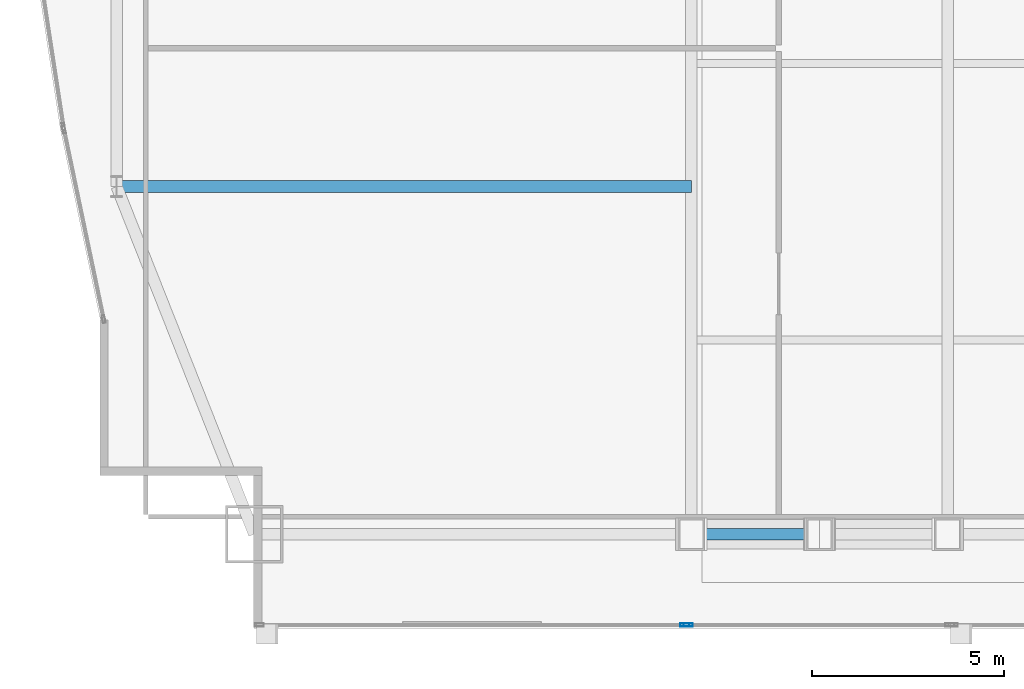
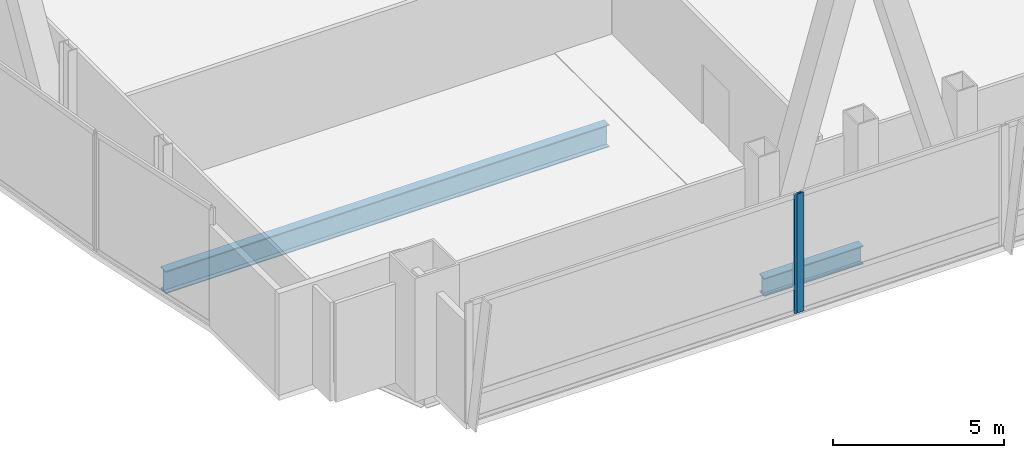
# One storey, part 7 of 32: 2 beams, 2 members, 2 elements without a shape of their own.
"""IFC4 building model written with IfcOpenShell, lengths in metres."""

from ifc_helpers import new_model, si_unit, direction, frame, origin, origin_2d, place, context, subcontext, project, spatial, hollow_rectangle, i_section, extrude, material, material_profile, profile_set, type_object, element, aggregate, save


model = new_model("IFC4")

# Units and contexts
model_context = context("Model", 3, precision=1e-05, world=origin(), true_north=direction((0.0, 1.0)))
body_context = subcontext(model_context, "Body", "Model", "MODEL_VIEW")
ifc_project = project(units=[si_unit("LENGTHUNIT", "METRE"), si_unit("AREAUNIT", "SQUARE_METRE"), si_unit("VOLUMEUNIT", "CUBIC_METRE"), si_unit("PLANEANGLEUNIT", "RADIAN"), si_unit("MASSUNIT", "GRAM", prefix="KILO")], contexts=[model_context])

# Site, building, storey
site_placement = place(None, origin())
site = spatial("IfcSite", under=ifc_project, at=site_placement, CompositionType="ELEMENT")
building_placement = place(site_placement, origin())
building = spatial("IfcBuilding", under=site, at=building_placement, Name="Khoronbel Lancet Exchange", CompositionType="ELEMENT")
storey_placement = place(building_placement, frame((0.0, 0.0, 106.60009765625)))
storey = spatial("IfcBuildingStorey", under=building, at=storey_placement, Name="L25", CompositionType="ELEMENT", Elevation=106.60009765625)

# Beams
ifc_material_1 = material(Name="Steel S355", Category="steel")
ifc_material_profile_1 = material_profile(ifc_material_1, i_section(OverallWidth=0.300048828125, OverallDepth=0.800048828125, WebThickness=0.017578125, FlangeThickness=0.032958984375, at=origin_2d()), Name="HEB 800")
ifc_profile_set_1 = profile_set([ifc_material_profile_1], Name="Steel S355")
beam_type_1 = type_object("IfcBeamType", Name="BM-BG2", PredefinedType="BEAM", material=ifc_profile_set_1)
beam_1_placement = place(storey_placement, frame((3.27001953125, 19.199951171875, -0.60009765625), z_axis=(1.0, 0.0, 0.0), x_axis=(0.0, 1.0, 0.0)))
element("IfcBeam", 1, at=beam_1_placement, inside=storey, type_object=beam_type_1, Name="Level L25 west lens tie girder LG1W", PredefinedType="BEAM", context=body_context, shape_type="SweptSolid", body=[
    extrude(i_section(OverallWidth=0.300048828125, OverallDepth=0.800048828125, WebThickness=0.017578125, FlangeThickness=0.032958984375, at=origin_2d()), origin(), (0.0, 0.0, 1.0), 14.955078125),
])
ifc_material_profile_2 = material_profile(ifc_material_1, i_section(OverallWidth=0.300048828125, OverallDepth=0.64990234375, WebThickness=0.01611328125, FlangeThickness=0.031005859375, at=origin_2d()), Name="HEB 650")
ifc_profile_set_2 = profile_set([ifc_material_profile_2], Name="Steel S355")
beam_type_2 = type_object("IfcBeamType", Name="BM-BSP1", PredefinedType="SPANDREL", material=ifc_profile_set_2)
beam_2_placement = place(storey_placement, frame((18.22509765625, 10.14990234375, -0.525146484375), z_axis=(1.0, 0.0, 0.0), x_axis=(0.0, 1.0, 0.0)))
element("IfcBeam", 2, at=beam_2_placement, inside=storey, type_object=beam_type_2, Name="Level L25 perimeter spandrel beam SP02", PredefinedType="SPANDREL", context=body_context, shape_type="SweptSolid", body=[
    extrude(i_section(OverallWidth=0.300048828125, OverallDepth=0.64990234375, WebThickness=0.01611328125, FlangeThickness=0.031005859375, at=origin_2d()), origin(), (0.0, 0.0, 1.0), 3.33740234375),
])

# Curtain wall, member
ifc_material_2 = material(Name="Low-E Solar Control Insulating Glass", Category="glass")
curtain_wall_type = type_object("IfcCurtainWallType", Name="CW-2", PredefinedType="NOTDEFINED", material=ifc_material_2)
curtain_wall_1_placement = place(storey_placement, origin())
curtain_wall_1 = element("IfcCurtainWall", 3, at=curtain_wall_1_placement, inside=storey, type_object=curtain_wall_type, Name="Unitised curtain wall CW-L25-SWV", PredefinedType="NOTDEFINED")
ifc_material_3 = material(Name="Bronze-Anodised Aluminium 6063-T6", Category="aluminium")
ifc_material_profile_3 = material_profile(ifc_material_3, hollow_rectangle(XDim=0.0849609375, YDim=0.239990234375, WallThickness=0.006103515625, at=origin_2d()), Name="ALU MULLION 85x240")
ifc_profile_set_3 = profile_set([ifc_material_profile_3], Name="Bronze-Anodised Aluminium 6063-T6")
member_type = type_object("IfcMemberType", Name="MEM-CWM1", PredefinedType="MULLION", material=ifc_profile_set_3)
member_1_placement = place(storey_placement, frame((18.0576171875, 7.7900390625, 0.0), z_axis=(0.0, 0.0, 1.0), x_axis=(0.0, 1.0, 0.0)))
member_1 = element("IfcMember", 4, at=member_1_placement, type_object=member_type, Name="CW2 mullion 2", PredefinedType="MULLION", context=body_context, shape_type="SweptSolid", body=[
    extrude(hollow_rectangle(XDim=0.0849609375, YDim=0.239990234375, WallThickness=0.006103515625, at=origin_2d()), origin(), (0.0, 0.0, 1.0), 4.239990234375),
])
aggregate(curtain_wall_1, [member_1])

curtain_wall_2_placement = place(storey_placement, origin())
curtain_wall_2 = element("IfcCurtainWall", 5, at=curtain_wall_2_placement, inside=storey, type_object=curtain_wall_type, Name="Unitised curtain wall CW-L25-SWB", PredefinedType="NOTDEFINED")
member_2_placement = place(storey_placement, frame((18.142578125, 7.7900390625, 0.0), z_axis=(0.0, 0.0, 1.0), x_axis=(0.0, 1.0, 0.0)))
member_2 = element("IfcMember", 6, at=member_2_placement, type_object=member_type, Name="CW2 mullion 1", PredefinedType="MULLION", context=body_context, shape_type="SweptSolid", body=[
    extrude(hollow_rectangle(XDim=0.0849609375, YDim=0.239990234375, WallThickness=0.006103515625, at=origin_2d()), origin(), (0.0, 0.0, 1.0), 4.239990234375),
])
aggregate(curtain_wall_2, [member_2])

save(model, "model.ifc")
